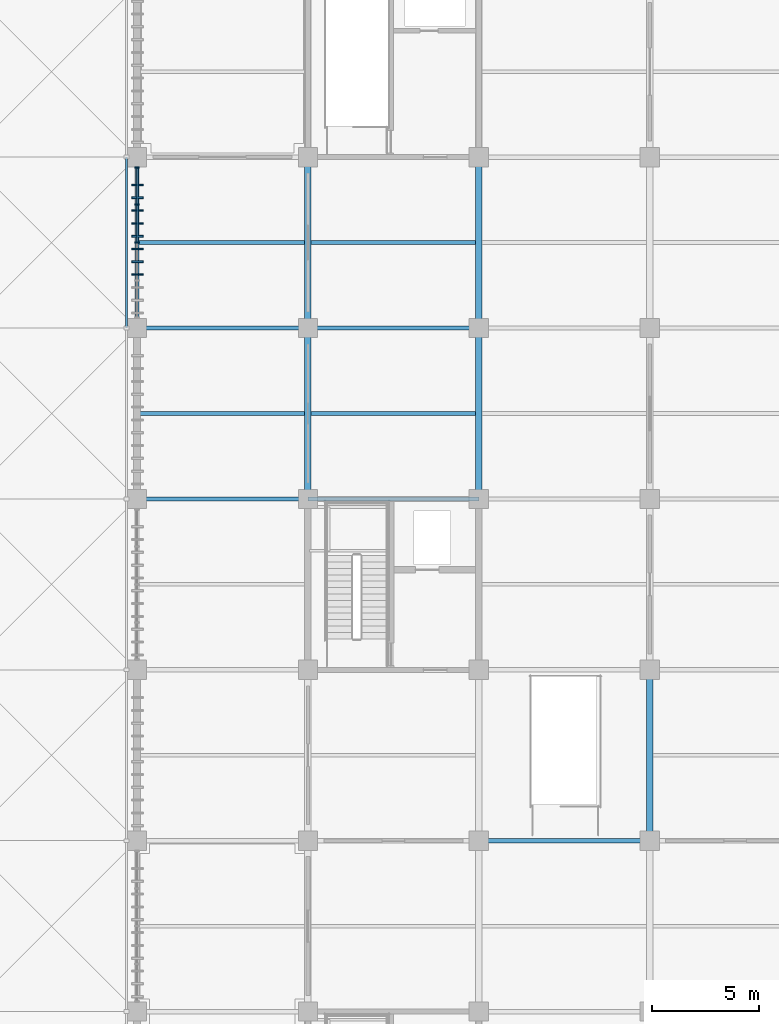
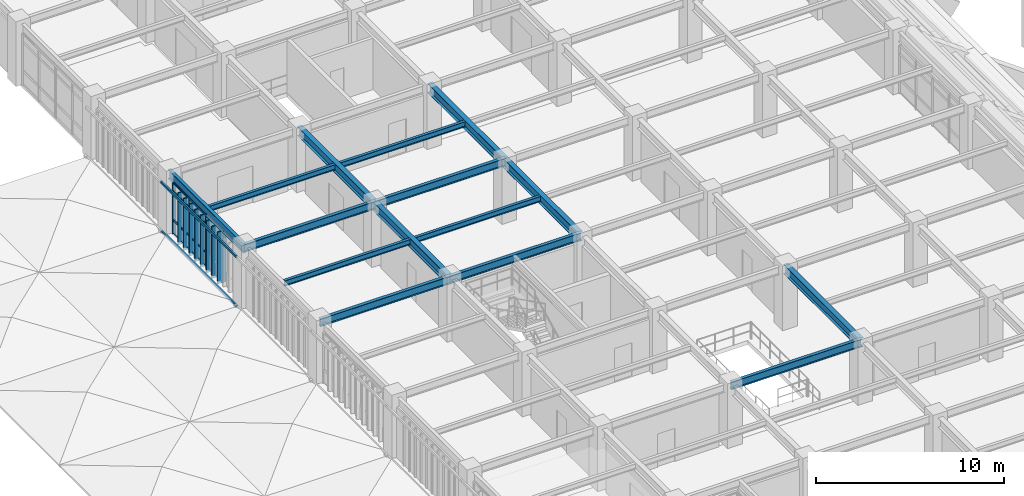
# One storey, part 30 of 118: 21 members, 15 beams, 1 element without a shape of its own.
"""IFC4 building model written with IfcOpenShell, lengths in metres."""

from ifc_helpers import new_model, si_unit, direction, frame, origin, origin_2d, place, context, subcontext, project, spatial, rectangle, hollow_rectangle, i_section, extrude, material, layer, layer_set, material_profile, profile_set, type_object, element, aggregate, save


model = new_model("IFC4")

# Units and contexts
model_context = context("Model", 3, precision=1e-05, world=origin(), true_north=direction((0.0, 1.0)))
body_context = subcontext(model_context, "Body", "Model", "MODEL_VIEW")
ifc_project = project(units=[si_unit("LENGTHUNIT", "METRE"), si_unit("AREAUNIT", "SQUARE_METRE"), si_unit("VOLUMEUNIT", "CUBIC_METRE"), si_unit("PLANEANGLEUNIT", "RADIAN"), si_unit("MASSUNIT", "GRAM", prefix="KILO")], contexts=[model_context])

# Site, building, storey
site_placement = place(None, origin())
site = spatial("IfcSite", under=ifc_project, at=site_placement, CompositionType="ELEMENT")
building_placement = place(site_placement, origin())
building = spatial("IfcBuilding", under=site, at=building_placement, Name="Haebicheon Civic Stadium", CompositionType="ELEMENT")
storey_placement = place(building_placement, frame((0.0, 0.0, 14.39990234375)))
storey = spatial("IfcBuildingStorey", under=building, at=storey_placement, Name="L04", CompositionType="ELEMENT", Elevation=14.39990234375)

# Beams
ifc_material_1 = material(Name="Steel SM355 (S355)", Category="steel")
ifc_material_profile_1 = material_profile(ifc_material_1, i_section(OverallWidth=0.199951171875, OverallDepth=0.5, WebThickness=0.010009765625, FlangeThickness=0.01611328125, at=origin_2d()), Name="H-500x200x10x16")
ifc_profile_set_1 = profile_set([ifc_material_profile_1], Name="Steel SM355 (S355)")
beam_type_1 = type_object("IfcBeamType", Name="BM-ST-H500", PredefinedType="BEAM", material=ifc_profile_set_1)
for number, where, z_axis, x_axis, name in (
    (1, (24.0, 112.0, 3.690185546875), (1.0, 0.0, 0.0), (0.0, 1.0, 0.0), "L04 beam Q/4-5"),
    (2, (24.0, 120.0, 3.690185546875), (1.0, 0.0, 0.0), (0.0, 1.0, 0.0), "L04 beam R/4-5"),
    (3, (32.0, 112.0, 3.690185546875), (1.0, 0.0, 0.0), (0.0, 1.0, 0.0), "L04 beam Q/5-6"),
    (4, (32.0, 120.0, 3.690185546875), (1.0, 0.0, 0.0), (0.0, 1.0, 0.0), "L04 beam R/5-6"),
    (5, (40.0, 96.0, 3.690185546875), (1.0, 0.0, 0.0), (0.0, 1.0, 0.0), "L04 beam N/6-7"),
):
    element("IfcBeam", number, at=place(storey_placement, frame(where, z_axis=z_axis, x_axis=x_axis)), inside=storey, type_object=beam_type_1, material=ifc_profile_set_1, Name=name, PredefinedType="BEAM", context=body_context, shape_type="SweptSolid", body=[
        extrude(i_section(OverallWidth=0.199951171875, OverallDepth=0.5, WebThickness=0.010009765625, FlangeThickness=0.01611328125, at=origin_2d()), origin(), (0.0, 0.0, 1.0), 8.0),
    ])
ifc_material_2 = material(Name="Steel SM355 (S355)", Category="steel")
ifc_material_profile_2 = material_profile(ifc_material_2, i_section(OverallWidth=0.300048828125, OverallDepth=0.60009765625, WebThickness=0.011962890625, FlangeThickness=0.02001953125, at=origin_2d()), Name="H-600x300x12x20")
ifc_profile_set_2 = profile_set([ifc_material_profile_2], Name="Steel SM355 (S355)")
beam_type_2 = type_object("IfcBeamType", Name="BM-ST-H600A", PredefinedType="BEAM", material=ifc_profile_set_2)
for number, where, z_axis, x_axis, name in (
    (6, (32.0, 112.0, 3.64013671875), (0.0, 1.0, 0.0), (-1.0, 0.0, 0.0), "L04 girder 5/Q-R"),
    (7, (32.0, 120.0, 3.64013671875), (0.0, 1.0, 0.0), (-1.0, 0.0, 0.0), "L04 girder 5/R-S"),
    (8, (40.0, 112.0, 3.64013671875), (0.0, 1.0, 0.0), (-1.0, 0.0, 0.0), "L04 girder 6/Q-R"),
    (9, (40.0, 120.0, 3.64013671875), (0.0, 1.0, 0.0), (-1.0, 0.0, 0.0), "L04 girder 6/R-S"),
    (10, (48.0, 96.0, 3.64013671875), (0.0, 1.0, 0.0), (-1.0, 0.0, 0.0), "L04 girder 7/N-P"),
):
    element("IfcBeam", number, at=place(storey_placement, frame(where, z_axis=z_axis, x_axis=x_axis)), inside=storey, type_object=beam_type_2, material=ifc_profile_set_2, Name=name, PredefinedType="BEAM", context=body_context, shape_type="SweptSolid", body=[
        extrude(i_section(OverallWidth=0.300048828125, OverallDepth=0.60009765625, WebThickness=0.011962890625, FlangeThickness=0.02001953125, at=origin_2d()), origin(), (0.0, 0.0, 1.0), 8.0),
    ])

# Curtain wall, members
ifc_material_3 = material(Name="Anodised aluminium and laminated glass", Category="aluminium")
ifc_layer = layer(ifc_material_3, 0.179931640625, Name="Anodised aluminium and laminated glass")
ifc_layer_set = layer_set([ifc_layer], Name="Anodised aluminium and laminated glass")
curtain_wall_type = type_object("IfcCurtainWallType", Name="CW-7100x3330", PredefinedType="NOTDEFINED", material=ifc_layer_set)
curtain_wall_placement = place(storey_placement, origin())
curtain_wall = element("IfcCurtainWall", 11, at=curtain_wall_placement, inside=storey, type_object=curtain_wall_type, material=ifc_layer_set, Name="L04 unitised curtain wall 110", PredefinedType="NOTDEFINED")
ifc_material_4 = material(Name="Anodised aluminium 6063-T6", Category="aluminium")
ifc_material_profile_3 = material_profile(ifc_material_4, rectangle(XDim=0.070068359375, YDim=0.199951171875, at=origin_2d()), Name="ALU-MULL-70x200")
ifc_profile_set_3 = profile_set([ifc_material_profile_3], Name="Anodised aluminium 6063-T6")
member_type_1 = type_object("IfcMemberType", Name="CWM-200x70", PredefinedType="MULLION", material=ifc_profile_set_3)
member_1_placement = place(storey_placement, frame((24.0, 124.0, 0.0), z_axis=(0.0, 0.0, 1.0), x_axis=(0.0, 1.0, 0.0)))
member_1 = element("IfcMember", 12, at=member_1_placement, type_object=member_type_1, material=ifc_profile_set_3, Name="CW-L04-110 vertical mullion 3", PredefinedType="MULLION", context=body_context, shape_type="SweptSolid", body=[
    extrude(rectangle(XDim=0.070068359375, YDim=0.199951171875, at=origin_2d()), origin(), (0.0, 0.0, 1.0), 3.330078125),
])
member_2_placement = place(storey_placement, frame((24.0, 125.77490234375, 0.0), z_axis=(0.0, 0.0, 1.0), x_axis=(0.0, 1.0, 0.0)))
member_2 = element("IfcMember", 13, at=member_2_placement, type_object=member_type_1, material=ifc_profile_set_3, Name="CW-L04-110 vertical mullion 4", PredefinedType="MULLION", context=body_context, shape_type="SweptSolid", body=[
    extrude(rectangle(XDim=0.070068359375, YDim=0.199951171875, at=origin_2d()), origin(), (0.0, 0.0, 1.0), 3.330078125),
])
member_3_placement = place(storey_placement, frame((24.0, 127.514892578125, 0.0), z_axis=(0.0, 0.0, 1.0), x_axis=(0.0, 1.0, 0.0)))
member_3 = element("IfcMember", 14, at=member_3_placement, type_object=member_type_1, material=ifc_profile_set_3, Name="CW-L04-110 vertical mullion 5", PredefinedType="MULLION", context=body_context, shape_type="SweptSolid", body=[
    extrude(rectangle(XDim=0.070068359375, YDim=0.199951171875, at=origin_2d()), origin(), (0.0, 0.0, 1.0), 3.330078125),
])
ifc_material_5 = material(Name="Anodised aluminium 6063-T6", Category="aluminium")
ifc_material_profile_4 = material_profile(ifc_material_5, rectangle(XDim=0.070068359375, YDim=0.14990234375, at=origin_2d()), Name="ALU-TRAN-70x150")
ifc_profile_set_4 = profile_set([ifc_material_profile_4], Name="Anodised aluminium 6063-T6")
member_type_2 = type_object("IfcMemberType", Name="CWT-150x70", PredefinedType="NOTDEFINED", material=ifc_profile_set_4)
member_4_placement = place(storey_placement, frame((24.0, 124.034912109375, 0.0), z_axis=(0.0, 1.0, 0.0), x_axis=(-1.0, 0.0, 0.0)))
member_4 = element("IfcMember", 15, at=member_4_placement, type_object=member_type_2, material=ifc_profile_set_4, Name="CW-L04-110 horizontal transom 3.1", ObjectType="TRANSOM", PredefinedType="USERDEFINED", context=body_context, shape_type="SweptSolid", body=[
    extrude(rectangle(XDim=0.070068359375, YDim=0.14990234375, at=origin_2d()), origin(), (0.0, 0.0, 1.0), 1.705078125),
])
member_5_placement = place(storey_placement, frame((24.0, 124.034912109375, 0.900146484375), z_axis=(0.0, 1.0, 0.0), x_axis=(-1.0, 0.0, 0.0)))
member_5 = element("IfcMember", 16, at=member_5_placement, type_object=member_type_2, material=ifc_profile_set_4, Name="CW-L04-110 horizontal transom 3.2", ObjectType="TRANSOM", PredefinedType="USERDEFINED", context=body_context, shape_type="SweptSolid", body=[
    extrude(rectangle(XDim=0.070068359375, YDim=0.14990234375, at=origin_2d()), origin(), (0.0, 0.0, 1.0), 1.705078125),
])
member_6_placement = place(storey_placement, frame((24.0, 124.034912109375, 2.780029296875), z_axis=(0.0, 1.0, 0.0), x_axis=(-1.0, 0.0, 0.0)))
member_6 = element("IfcMember", 17, at=member_6_placement, type_object=member_type_2, material=ifc_profile_set_4, Name="CW-L04-110 horizontal transom 3.3", ObjectType="TRANSOM", PredefinedType="USERDEFINED", context=body_context, shape_type="SweptSolid", body=[
    extrude(rectangle(XDim=0.070068359375, YDim=0.14990234375, at=origin_2d()), origin(), (0.0, 0.0, 1.0), 1.705078125),
])
member_7_placement = place(storey_placement, frame((24.0, 124.034912109375, 3.330078125), z_axis=(0.0, 1.0, 0.0), x_axis=(-1.0, 0.0, 0.0)))
member_7 = element("IfcMember", 18, at=member_7_placement, type_object=member_type_2, material=ifc_profile_set_4, Name="CW-L04-110 horizontal transom 3.4", ObjectType="TRANSOM", PredefinedType="USERDEFINED", context=body_context, shape_type="SweptSolid", body=[
    extrude(rectangle(XDim=0.070068359375, YDim=0.14990234375, at=origin_2d()), origin(), (0.0, 0.0, 1.0), 1.705078125),
])
member_8_placement = place(storey_placement, frame((24.0, 125.81005859375, 0.0), z_axis=(0.0, 1.0, 0.0), x_axis=(-1.0, 0.0, 0.0)))
member_8 = element("IfcMember", 19, at=member_8_placement, type_object=member_type_2, material=ifc_profile_set_4, Name="CW-L04-110 horizontal transom 4.1", ObjectType="TRANSOM", PredefinedType="USERDEFINED", context=body_context, shape_type="SweptSolid", body=[
    extrude(rectangle(XDim=0.070068359375, YDim=0.14990234375, at=origin_2d()), origin(), (0.0, 0.0, 1.0), 1.669921875),
])
member_9_placement = place(storey_placement, frame((24.0, 125.81005859375, 0.900146484375), z_axis=(0.0, 1.0, 0.0), x_axis=(-1.0, 0.0, 0.0)))
member_9 = element("IfcMember", 20, at=member_9_placement, type_object=member_type_2, material=ifc_profile_set_4, Name="CW-L04-110 horizontal transom 4.2", ObjectType="TRANSOM", PredefinedType="USERDEFINED", context=body_context, shape_type="SweptSolid", body=[
    extrude(rectangle(XDim=0.070068359375, YDim=0.14990234375, at=origin_2d()), origin(), (0.0, 0.0, 1.0), 1.669921875),
])
member_10_placement = place(storey_placement, frame((24.0, 125.81005859375, 2.780029296875), z_axis=(0.0, 1.0, 0.0), x_axis=(-1.0, 0.0, 0.0)))
member_10 = element("IfcMember", 21, at=member_10_placement, type_object=member_type_2, material=ifc_profile_set_4, Name="CW-L04-110 horizontal transom 4.3", ObjectType="TRANSOM", PredefinedType="USERDEFINED", context=body_context, shape_type="SweptSolid", body=[
    extrude(rectangle(XDim=0.070068359375, YDim=0.14990234375, at=origin_2d()), origin(), (0.0, 0.0, 1.0), 1.669921875),
])
member_11_placement = place(storey_placement, frame((24.0, 125.81005859375, 3.330078125), z_axis=(0.0, 1.0, 0.0), x_axis=(-1.0, 0.0, 0.0)))
member_11 = element("IfcMember", 22, at=member_11_placement, type_object=member_type_2, material=ifc_profile_set_4, Name="CW-L04-110 horizontal transom 4.4", ObjectType="TRANSOM", PredefinedType="USERDEFINED", context=body_context, shape_type="SweptSolid", body=[
    extrude(rectangle(XDim=0.070068359375, YDim=0.14990234375, at=origin_2d()), origin(), (0.0, 0.0, 1.0), 1.669921875),
])
aggregate(curtain_wall, [member_1, member_2, member_3, member_4, member_5, member_6, member_7, member_8, member_9, member_10, member_11])

# Beams
ifc_material_6 = material(Name="Steel SM355 (S355)", Category="steel")
ifc_material_profile_5 = material_profile(ifc_material_6, i_section(OverallWidth=0.175048828125, OverallDepth=0.35009765625, WebThickness=0.007080078125, FlangeThickness=0.010986328125, at=origin_2d()), Name="H-350x175x7x11")
ifc_profile_set_5 = profile_set([ifc_material_profile_5], Name="Steel SM355 (S355)")
beam_type_3 = type_object("IfcBeamType", Name="JST-ST-H350", PredefinedType="JOIST", material=ifc_profile_set_5)
for number, where, z_axis, x_axis, name in (
    (23, (24.10009765625, 116.0, 3.76513671875), (1.0, 0.0, 0.0), (0.0, 1.0, 0.0), "L04 secondary joist 03-14"),
    (24, (24.10009765625, 124.0, 3.76513671875), (1.0, 0.0, 0.0), (0.0, 1.0, 0.0), "L04 secondary joist 03-15"),
):
    element("IfcBeam", number, at=place(storey_placement, frame(where, z_axis=z_axis, x_axis=x_axis)), inside=storey, type_object=beam_type_3, material=ifc_profile_set_5, Name=name, PredefinedType="JOIST", context=body_context, shape_type="SweptSolid", body=[
        extrude(i_section(OverallWidth=0.175048828125, OverallDepth=0.35009765625, WebThickness=0.007080078125, FlangeThickness=0.010986328125, at=origin_2d()), origin(), (0.0, 0.0, 1.0), 7.75),
    ])
for number, where, z_axis, x_axis, name in (
    (25, (32.14990234375, 116.0, 3.76513671875), (1.0, 0.0, 0.0), (0.0, 1.0, 0.0), "L04 secondary joist 04-14"),
    (26, (32.14990234375, 124.0, 3.76513671875), (1.0, 0.0, 0.0), (0.0, 1.0, 0.0), "L04 secondary joist 04-15"),
):
    element("IfcBeam", number, at=place(storey_placement, frame(where, z_axis=z_axis, x_axis=x_axis)), inside=storey, type_object=beam_type_3, material=ifc_profile_set_5, Name=name, PredefinedType="JOIST", context=body_context, shape_type="SweptSolid", body=[
        extrude(i_section(OverallWidth=0.175048828125, OverallDepth=0.35009765625, WebThickness=0.007080078125, FlangeThickness=0.010986328125, at=origin_2d()), origin(), (0.0, 0.0, 1.0), 7.7001953125),
    ])

# Members
ifc_material_7 = material(Name="Acetylated timber GL28h", Category="wood")
ifc_material_profile_6 = material_profile(ifc_material_7, rectangle(XDim=0.080078125, YDim=0.52001953125, at=origin_2d()), Name="TMB-LOUV-80x520")
ifc_profile_set_6 = profile_set([ifc_material_profile_6], Name="Acetylated timber GL28h")
member_type_3 = type_object("IfcMemberType", Name="LVR-TIM-520x80", PredefinedType="PLATE", material=ifc_profile_set_6)
for number, where, z_axis, x_axis, name in (
    (27, (24.02001953125, 122.5, -0.119873046875), (0.0, 0.0, 1.0), (0.0, 1.0, 0.0), "SCR-WEST L04 acetylated timber storm louvre fin 10.4"),
    (28, (24.02001953125, 123.10009765625, -0.119873046875), (0.0, 0.0, 1.0), (0.0, 1.0, 0.0), "SCR-WEST L04 acetylated timber storm louvre fin 10.5"),
    (29, (24.02001953125, 123.699951171875, -0.119873046875), (0.0, 0.0, 1.0), (0.0, 1.0, 0.0), "SCR-WEST L04 acetylated timber storm louvre fin 10.6"),
    (30, (24.02001953125, 124.300048828125, -0.119873046875), (0.0, 0.0, 1.0), (0.0, 1.0, 0.0), "SCR-WEST L04 acetylated timber storm louvre fin 10.7"),
    (31, (24.02001953125, 124.89990234375, -0.119873046875), (0.0, 0.0, 1.0), (0.0, 1.0, 0.0), "SCR-WEST L04 acetylated timber storm louvre fin 10.8"),
    (32, (24.02001953125, 125.5, -0.119873046875), (0.0, 0.0, 1.0), (0.0, 1.0, 0.0), "SCR-WEST L04 acetylated timber storm louvre fin 10.9"),
    (33, (24.02001953125, 126.10009765625, -0.119873046875), (0.0, 0.0, 1.0), (0.0, 1.0, 0.0), "SCR-WEST L04 acetylated timber storm louvre fin 10.10"),
    (34, (24.02001953125, 126.699951171875, -0.119873046875), (0.0, 0.0, 1.0), (0.0, 1.0, 0.0), "SCR-WEST L04 acetylated timber storm louvre fin 10.11"),
):
    element("IfcMember", number, at=place(storey_placement, frame(where, z_axis=z_axis, x_axis=x_axis)), inside=storey, type_object=member_type_3, material=ifc_profile_set_6, Name=name, PredefinedType="PLATE", context=body_context, shape_type="SweptSolid", body=[
        extrude(rectangle(XDim=0.080078125, YDim=0.52001953125, at=origin_2d()), origin(), (0.0, 0.0, 1.0), 3.369873046875),
    ])

# Beam
ifc_material_8 = material(Name="Steel SM355 (S355)", Category="steel")
ifc_material_profile_7 = material_profile(ifc_material_8, i_section(OverallWidth=0.199951171875, OverallDepth=0.60009765625, WebThickness=0.010986328125, FlangeThickness=0.01708984375, at=origin_2d()), Name="H-600x200x11x17")
ifc_profile_set_7 = profile_set([ifc_material_profile_7], Name="Steel SM355 (S355)")
beam_type_4 = type_object("IfcBeamType", Name="SPD-ST-H600B", PredefinedType="SPANDREL", material=ifc_profile_set_7)
beam_placement = place(storey_placement, frame((24.0, 120.0, 3.64013671875), z_axis=(0.0, 1.0, 0.0), x_axis=(-1.0, 0.0, 0.0)))
element("IfcBeam", 35, at=beam_placement, inside=storey, type_object=beam_type_4, material=ifc_profile_set_7, Name="L04 girder 4/R-S", PredefinedType="SPANDREL", context=body_context, shape_type="SweptSolid", body=[
    extrude(i_section(OverallWidth=0.199951171875, OverallDepth=0.60009765625, WebThickness=0.010986328125, FlangeThickness=0.01708984375, at=origin_2d()), origin(), (0.0, 0.0, 1.0), 8.0),
])

# Members
ifc_material_9 = material(Name="Steel SM355 (S355)", Category="steel")
ifc_material_profile_8 = material_profile(ifc_material_9, hollow_rectangle(XDim=0.10009765625, YDim=0.14990234375, WallThickness=0.006103515625, at=origin_2d()), Name="RHS-150x100x6.0")
ifc_profile_set_8 = profile_set([ifc_material_profile_8], Name="Steel SM355 (S355)")
member_type_4 = type_object("IfcMemberType", Name="SUB-RHS150", PredefinedType="STRINGER", material=ifc_profile_set_8)
for number, where, z_axis, x_axis, name in (
    (36, (23.510009765625, 120.0, 0.06005859375), (0.0, 1.0, 0.0), (-1.0, 0.0, 0.0), "SCR-WEST L04 storm-louvre bottom carrier rail 10"),
    (37, (23.510009765625, 120.0, 3.25), (0.0, 1.0, 0.0), (-1.0, 0.0, 0.0), "SCR-WEST L04 storm-louvre top carrier rail 10"),
):
    element("IfcMember", number, at=place(storey_placement, frame(where, z_axis=z_axis, x_axis=x_axis)), inside=storey, type_object=member_type_4, material=ifc_profile_set_8, Name=name, PredefinedType="STRINGER", context=body_context, shape_type="SweptSolid", body=[
        extrude(hollow_rectangle(XDim=0.10009765625, YDim=0.14990234375, WallThickness=0.006103515625, at=origin_2d()), origin(), (0.0, 0.0, 1.0), 8.0),
    ])

save(model, "model.ifc")
